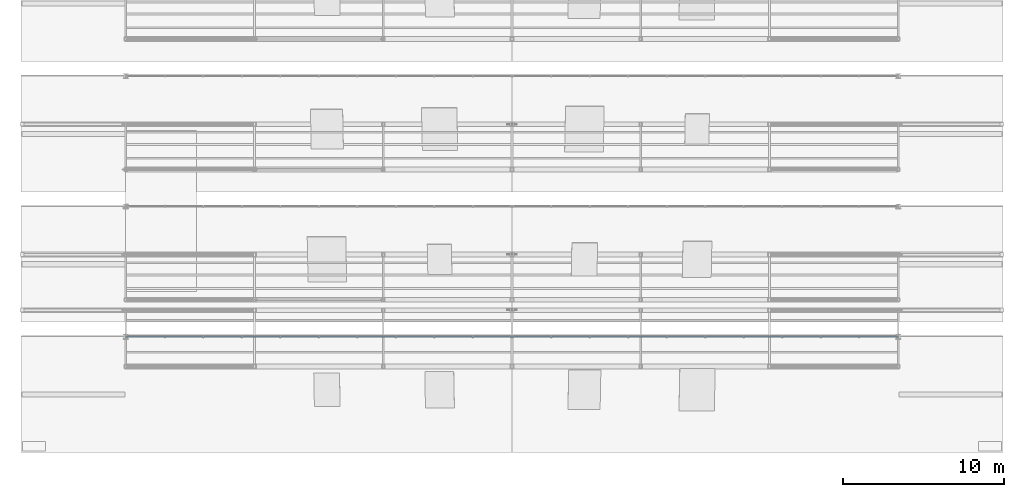
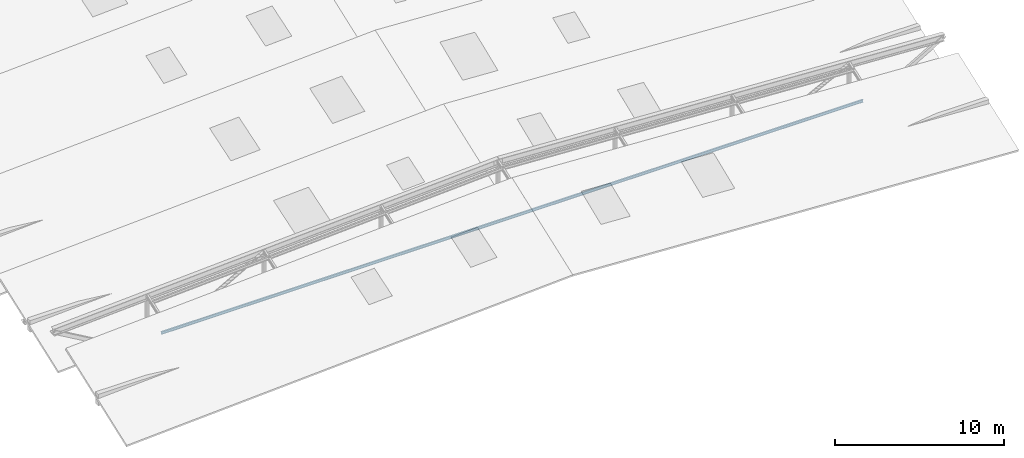
# One storey, part 13 of 141: 1 member.
"""IFC4 building model written with IfcOpenShell, lengths in metres."""

from ifc_helpers import new_model, si_unit, direction, frame, origin, origin_2d, place, context, subcontext, project, spatial, i_section, extrude, material, material_profile, profile_set, type_object, element, save


model = new_model("IFC4")

# Units and contexts
model_context = context("Model", 3, precision=1e-05, world=origin(), true_north=direction((0.0, 1.0)))
body_context = subcontext(model_context, "Body", "Model", "MODEL_VIEW")
ifc_project = project(units=[si_unit("LENGTHUNIT", "METRE"), si_unit("AREAUNIT", "SQUARE_METRE"), si_unit("VOLUMEUNIT", "CUBIC_METRE"), si_unit("PLANEANGLEUNIT", "RADIAN"), si_unit("MASSUNIT", "GRAM", prefix="KILO")], contexts=[model_context])

# Site, building, storey
site_placement = place(None, origin())
site = spatial("IfcSite", under=ifc_project, at=site_placement, CompositionType="ELEMENT")
building_placement = place(site_placement, origin())
building = spatial("IfcBuilding", under=site, at=building_placement, Name="Sundkrona Museum", CompositionType="ELEMENT")
storey_placement = place(building_placement, frame((0.0, 0.0, 34.0)))
storey = spatial("IfcBuildingStorey", under=building, at=storey_placement, Name="RF", CompositionType="ELEMENT", Elevation=34.0)

# Member
ifc_material = material(Name="Steel S355J2", Category="steel")
ifc_material_profile = material_profile(ifc_material, i_section(OverallWidth=0.10009765625, OverallDepth=0.199951171875, WebThickness=0.005615234375, FlangeThickness=0.008544921875, FilletRadius=0.011962890625, at=origin_2d()), Name="IPE 200")
ifc_profile_set = profile_set([ifc_material_profile], Name="Steel S355J2")
member_type = type_object("IfcMemberType", Name="PR-IPE200", PredefinedType="PURLIN", material=ifc_profile_set)
member_placement = place(storey_placement, frame((120.0, 2.199951171875, 2.123046875), z_axis=(1.0, 0.0, 0.0), x_axis=(0.0, 1.0, 0.0)))
element("IfcMember", 1, at=member_placement, inside=storey, type_object=member_type, Name="RFS-1 Sawtooth Bay 1 Clerestory Sill Beam", PredefinedType="PURLIN", context=body_context, shape_type="SweptSolid", body=[
    extrude(i_section(OverallWidth=0.10009765625, OverallDepth=0.199951171875, WebThickness=0.005615234375, FlangeThickness=0.008544921875, FilletRadius=0.011962890625, at=origin_2d()), origin(), (0.0, 0.0, 1.0), 48.0),
])

save(model, "model.ifc")
